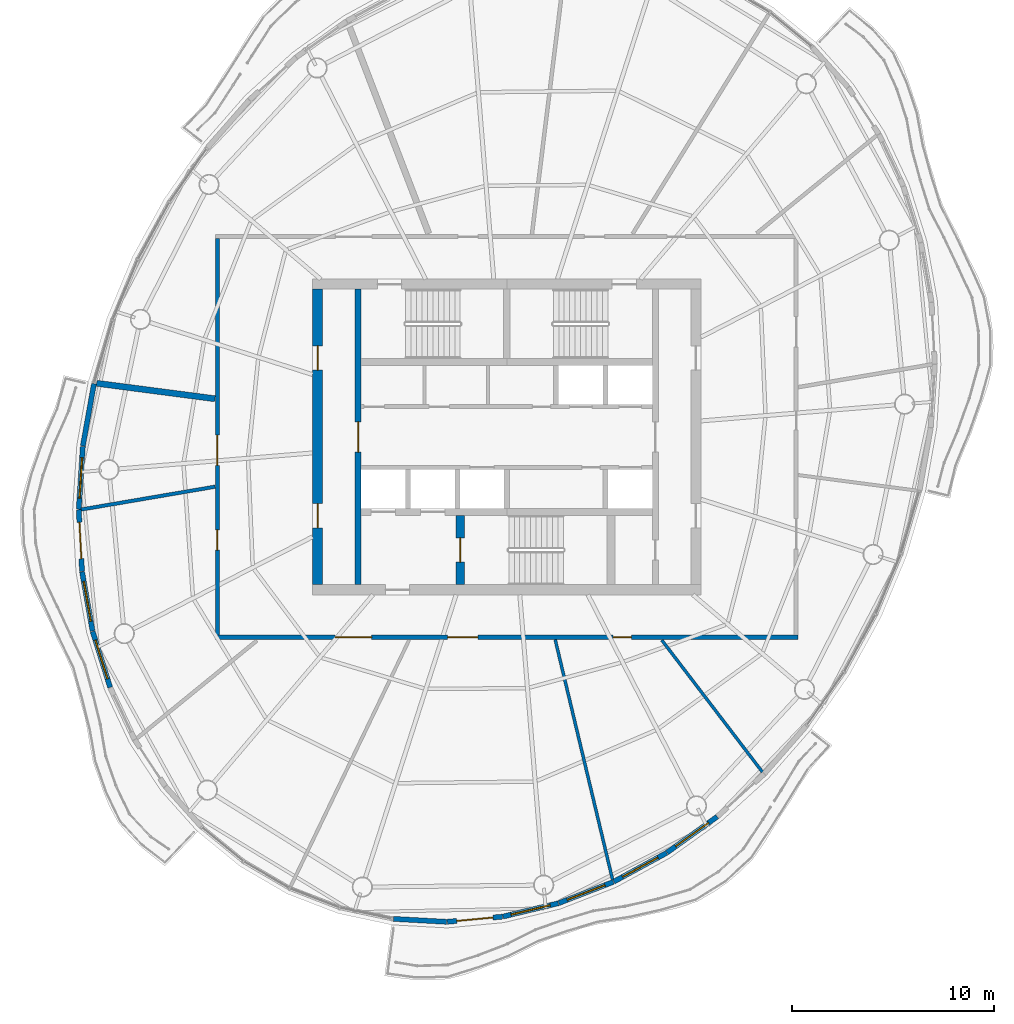
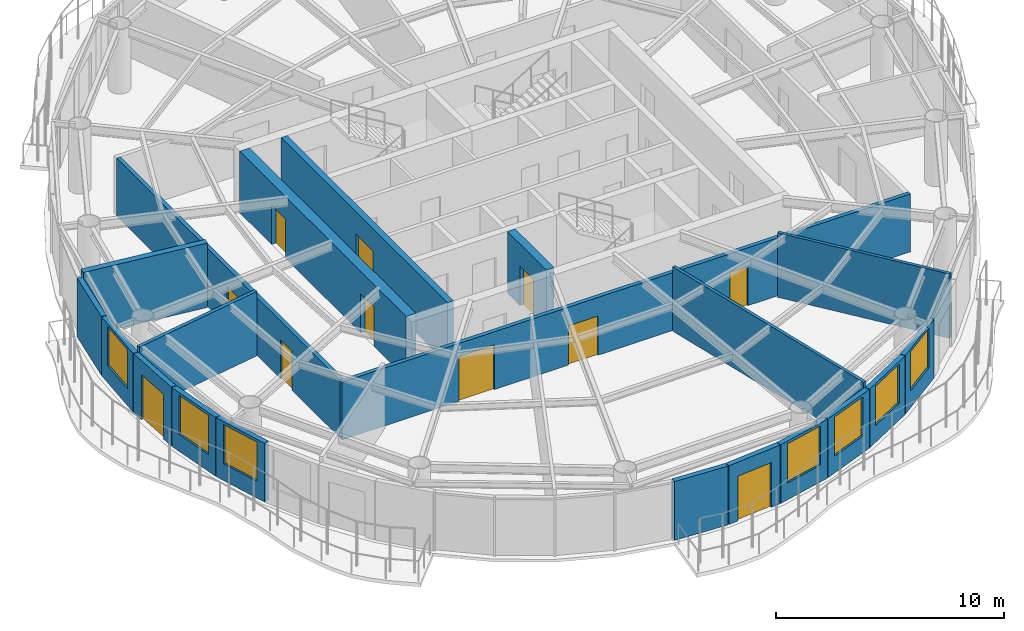
# One storey, part 7 of 13: 20 walls, 11 doors, 7 windows, 18 openings.
"""IFC4 building model written with IfcOpenShell, lengths in metres."""

from ifc_helpers import new_model, si_unit, direction, frame, frame_2d, origin, place, context, subcontext, project, spatial, rectangle, extrude, material, layer, layer_set, type_object, element, fill, save


model = new_model("IFC4")

# Units and contexts
model_context = context("Model", 3, precision=1e-05, world=origin(), true_north=direction((0.0, 1.0)))
body_context = subcontext(model_context, "Body", "Model", "MODEL_VIEW")
ifc_project = project(units=[si_unit("LENGTHUNIT", "METRE"), si_unit("AREAUNIT", "SQUARE_METRE"), si_unit("VOLUMEUNIT", "CUBIC_METRE"), si_unit("PLANEANGLEUNIT", "RADIAN"), si_unit("MASSUNIT", "GRAM", prefix="KILO")], contexts=[model_context])

# Site, building, storey
site_placement = place(None, origin())
site = spatial("IfcSite", under=ifc_project, at=site_placement, CompositionType="ELEMENT")
building_placement = place(site_placement, origin())
building = spatial("IfcBuilding", under=site, at=building_placement, Name="Vermilion Reach Broadcast Tower", CompositionType="ELEMENT")
storey_placement = place(building_placement, frame((0.0, 0.0, 290.10009765625)))
storey = spatial("IfcBuildingStorey", under=building, at=storey_placement, Name="L72", CompositionType="ELEMENT", Elevation=290.10009765625)

# Wall, opening, door
ifc_material_1 = material(Name="Concrete C50", Category="concrete")
ifc_layer_1 = layer(ifc_material_1, 0.300048828125)
ifc_layer_set_1 = layer_set([ifc_layer_1], Name="Core inner wall 300 mm Concrete C50")
wall_type_1 = type_object("IfcWallType", Name="Core inner wall 300 mm Concrete C50", PredefinedType="SHEAR", material=ifc_layer_set_1)
wall_1_placement = place(storey_placement, frame((-13.35009765625, 7.300048828125, 0.0), z_axis=(0.0, 0.0, 1.0), x_axis=(0.0, -1.0, 0.0)))
wall_1 = element("IfcWall", 1, at=wall_1_placement, inside=storey, type_object=wall_type_1, Name="L72 core wall ewW", PredefinedType="SHEAR", context=body_context, shape_type="SweptSolid", body=[
    extrude(rectangle(XDim=14.60009765625, YDim=0.300048828125, at=frame_2d((7.300048828125, 0.0))), origin(), (0.0, 0.0, 1.0), 3.2998046875),
])
opening_1_placement = place(wall_1_placement, frame((6.550048828125, 0.0, 0.0)))
opening_1 = element("IfcOpeningElement", 2, at=opening_1_placement, cuts=wall_1, Name="Opening D04", PredefinedType="OPENING", context=body_context, shape_type="SweptSolid", body=[
    extrude(rectangle(XDim=1.5, YDim=2.10009765625, at=frame_2d((0.75, 1.050048828125))), frame((0.0, 0.159912109375, 0.0), z_axis=(0.0, -1.0, 0.0), x_axis=(1.0, 0.0, 0.0)), (0.0, 0.0, 1.0), 0.320068359375),
])
ifc_material_2 = material(Name="Painted steel fire door", Category="steel")
door_type_1 = type_object("IfcDoorType", Name="Lift lobby door 1500 x 2100", OperationType="DOUBLE_DOOR_SINGLE_SWING", PredefinedType="NOTDEFINED", material=ifc_material_2)
door_1_placement = place(opening_1_placement, origin())
door_1 = element("IfcDoor", 3, at=door_1_placement, inside=storey, type_object=door_type_1, Name="L72 band door BW", OperationType="DOUBLE_DOOR_SINGLE_SWING", OverallHeight=2.10009765625, OverallWidth=1.5, PredefinedType="NOTDEFINED", context=body_context, shape_type="SweptSolid", body=[
    extrude(rectangle(XDim=1.5, YDim=2.10009765625, at=frame_2d((0.75, 1.050048828125))), frame((0.0, 0.02490234375, 0.0), z_axis=(0.0, -1.0, 0.0), x_axis=(1.0, 0.0, 0.0)), (0.0, 0.0, 1.0), 0.050048828125),
])
fill(opening_1, door_1)

ifc_material_3 = material(Name="Concrete C50", Category="concrete")
ifc_layer_2 = layer(ifc_material_3, 0.39990234375)
ifc_layer_set_2 = layer_set([ifc_layer_2], Name="Core inner wall 400 mm Concrete C50")
wall_type_2 = type_object("IfcWallType", Name="Core inner wall 400 mm Concrete C50", PredefinedType="SHEAR", material=ifc_layer_set_2)
wall_2_placement = place(storey_placement, frame((-8.300048828125, -3.8798828125, 0.0), z_axis=(0.0, 0.0, 1.0), x_axis=(0.0, -1.0, 0.0)))
wall_2 = element("IfcWall", 4, at=wall_2_placement, inside=storey, type_object=wall_type_2, Name="L72 core wall wa", PredefinedType="SHEAR", context=body_context, shape_type="SweptSolid", body=[
    extrude(rectangle(XDim=3.420166015625, YDim=0.39990234375, at=frame_2d((1.7099609375, 0.0))), origin(), (0.0, 0.0, 1.0), 3.2998046875),
])
opening_2_placement = place(wall_2_placement, frame((1.110107421875, 0.0, 0.0)))
opening_2 = element("IfcOpeningElement", 5, at=opening_2_placement, cuts=wall_2, Name="Opening D01", PredefinedType="OPENING", context=body_context, shape_type="SweptSolid", body=[
    extrude(rectangle(XDim=1.199951171875, YDim=2.10009765625, at=frame_2d((0.60009765625, 1.050048828125))), frame((0.0, 0.2099609375, 0.0), z_axis=(0.0, -1.0, 0.0), x_axis=(1.0, 0.0, 0.0)), (0.0, 0.0, 1.0), 0.419921875),
])
ifc_material_4 = material(Name="Painted steel fire door", Category="steel")
door_type_2 = type_object("IfcDoorType", Name="Stair door 1200 x 2100", OperationType="DOUBLE_DOOR_SINGLE_SWING", PredefinedType="NOTDEFINED", material=ifc_material_4)
door_2_placement = place(opening_2_placement, origin())
door_2 = element("IfcDoor", 6, at=door_2_placement, inside=storey, type_object=door_type_2, Name="L72 stair door ST3", OperationType="DOUBLE_DOOR_SINGLE_SWING", OverallHeight=2.10009765625, OverallWidth=1.199951171875, PredefinedType="NOTDEFINED", context=body_context, shape_type="SweptSolid", body=[
    extrude(rectangle(XDim=1.199951171875, YDim=2.10009765625, at=frame_2d((0.60009765625, 1.050048828125))), frame((0.0, 0.02490234375, 0.0), z_axis=(0.0, -1.0, 0.0), x_axis=(1.0, 0.0, 0.0)), (0.0, 0.0, 1.0), 0.050048828125),
])
fill(opening_2, door_2)

# Wall, openings, doors
ifc_material_5 = material(Name="Concrete C50", Category="concrete")
ifc_layer_3 = layer(ifc_material_5, 0.5)
ifc_layer_set_3 = layer_set([ifc_layer_3], Name="Core outer wall 500 mm Concrete C50")
wall_type_3 = type_object("IfcWallType", Name="Core outer wall 500 mm Concrete C50", PredefinedType="SHEAR", material=ifc_layer_set_3)
wall_3_placement = place(storey_placement, frame((-15.35009765625, 7.300048828125, 0.0), z_axis=(0.0, 0.0, 1.0), x_axis=(0.0, -1.0, 0.0)))
wall_3 = element("IfcWall", 7, at=wall_3_placement, inside=storey, type_object=wall_type_3, Name="L72 core wall ow", PredefinedType="SHEAR", context=body_context, shape_type="SweptSolid", body=[
    extrude(rectangle(XDim=14.60009765625, YDim=0.5, at=frame_2d((7.300048828125, 0.0))), origin(), (0.0, 0.0, 1.0), 3.2998046875),
])
opening_3_placement = place(wall_3_placement, frame((10.60009765625, 0.0, 0.0)))
opening_3 = element("IfcOpeningElement", 8, at=opening_3_placement, cuts=wall_3, Name="Opening D03", PredefinedType="OPENING", context=body_context, shape_type="SweptSolid", body=[
    extrude(rectangle(XDim=1.199951171875, YDim=2.10009765625, at=frame_2d((0.60009765625, 1.050048828125))), frame((0.0, 0.260009765625, 0.0), z_axis=(0.0, -1.0, 0.0), x_axis=(1.0, 0.0, 0.0)), (0.0, 0.0, 1.0), 0.52001953125),
])
opening_4_placement = place(wall_3_placement, frame((2.800048828125, 0.0, 0.0)))
opening_4 = element("IfcOpeningElement", 9, at=opening_4_placement, cuts=wall_3, Name="Opening D03", PredefinedType="OPENING", context=body_context, shape_type="SweptSolid", body=[
    extrude(rectangle(XDim=1.199951171875, YDim=2.10009765625, at=frame_2d((0.60009765625, 1.050048828125))), frame((0.0, 0.260009765625, 0.0), z_axis=(0.0, -1.0, 0.0), x_axis=(1.0, 0.0, 0.0)), (0.0, 0.0, 1.0), 0.52001953125),
])
ifc_material_6 = material(Name="Painted steel fire door", Category="steel")
door_type_3 = type_object("IfcDoorType", Name="Core lobby door 1200 x 2100", OperationType="DOUBLE_DOOR_SINGLE_SWING", PredefinedType="NOTDEFINED", material=ifc_material_6)
door_3_placement = place(opening_3_placement, origin())
door_3 = element("IfcDoor", 10, at=door_3_placement, inside=storey, type_object=door_type_3, Name="L72 slot door W0", OperationType="DOUBLE_DOOR_SINGLE_SWING", OverallHeight=2.10009765625, OverallWidth=1.199951171875, PredefinedType="NOTDEFINED", context=body_context, shape_type="SweptSolid", body=[
    extrude(rectangle(XDim=1.199951171875, YDim=2.10009765625, at=frame_2d((0.60009765625, 1.050048828125))), frame((0.0, 0.02490234375, 0.0), z_axis=(0.0, -1.0, 0.0), x_axis=(1.0, 0.0, 0.0)), (0.0, 0.0, 1.0), 0.050048828125),
])
fill(opening_3, door_3)
door_4_placement = place(opening_4_placement, origin())
door_4 = element("IfcDoor", 11, at=door_4_placement, inside=storey, type_object=door_type_3, Name="L72 slot door W1", OperationType="DOUBLE_DOOR_SINGLE_SWING", OverallHeight=2.10009765625, OverallWidth=1.199951171875, PredefinedType="NOTDEFINED", context=body_context, shape_type="SweptSolid", body=[
    extrude(rectangle(XDim=1.199951171875, YDim=2.10009765625, at=frame_2d((0.60009765625, 1.050048828125))), frame((0.0, 0.02490234375, 0.0), z_axis=(0.0, -1.0, 0.0), x_axis=(1.0, 0.0, 0.0)), (0.0, 0.0, 1.0), 0.050048828125),
])
fill(opening_4, door_4)

# Walls
ifc_material_7 = material(Name="Lightweight concrete block, plastered", Category="concrete")
ifc_layer_4 = layer(ifc_material_7, 0.14990234375)
ifc_layer_set_4 = layer_set([ifc_layer_4], Name="Partition 150 lightweight block")
wall_type_4 = type_object("IfcWallType", Name="Partition 150 lightweight block", PredefinedType="PARTITIONING", material=ifc_layer_set_4)
wall_4_placement = place(storey_placement, frame((-0.77294921875, -21.87353515625, 0.0), z_axis=(0.0, 0.0, 1.0), x_axis=(-0.232423713032, 0.972614629553, 0.0)))
element("IfcWall", 12, at=wall_4_placement, inside=storey, type_object=wall_type_4, Name="Partition 72.07", PredefinedType="PARTITIONING", context=body_context, shape_type="SweptSolid", body=[
    extrude(rectangle(XDim=12.18994140625, YDim=0.14990234375, at=frame_2d((6.094970703125, 0.0))), origin(), (0.0, 0.0, 1.0), 3.449951171875),
])
wall_5_placement = place(storey_placement, frame((6.63671875, -16.56396484375, 0.0), z_axis=(0.0, 0.0, 1.0), x_axis=(-0.606535643583, 0.795056295531, 0.0)))
element("IfcWall", 13, at=wall_5_placement, inside=storey, type_object=wall_type_4, Name="Partition 72.08", PredefinedType="PARTITIONING", context=body_context, shape_type="SweptSolid", body=[
    extrude(rectangle(XDim=8.198974609375, YDim=0.14990234375, at=frame_2d((4.099609375, 0.0))), origin(), (0.0, 0.0, 1.0), 3.449951171875),
])
ifc_material_8 = material(Name="Fire-rated block, plastered")
ifc_layer_5 = layer(ifc_material_8, 0.175048828125)
ifc_layer_set_5 = layer_set([ifc_layer_5], Name="Partition 175 fire-rated block")
wall_type_5 = type_object("IfcWallType", Name="Partition 175 fire-rated block", PredefinedType="PARTITIONING", material=ifc_layer_set_5)
wall_6_placement = place(storey_placement, frame((-27.02880859375, -3.587890625, 0.0), z_axis=(0.0, 0.0, 1.0), x_axis=(0.985756294693, 0.168180044814, 0.0)))
element("IfcWall", 14, at=wall_6_placement, inside=storey, type_object=wall_type_5, Name="Partition 72.04", PredefinedType="PARTITIONING", context=body_context, shape_type="SweptSolid", body=[
    extrude(rectangle(XDim=6.70947265625, YDim=0.175048828125, at=frame_2d((3.354736328125, 0.0))), origin(), (0.0, 0.0, 1.0), 3.449951171875),
])
ifc_material_9 = material(Name="Double-leaf plasterboard on isolated steel stud", Category="steel")
ifc_layer_6 = layer(ifc_material_9, 0.300048828125)
ifc_layer_set_6 = layer_set([ifc_layer_6], Name="Partition 300 acoustic double leaf")
wall_type_6 = type_object("IfcWallType", Name="Partition 300 acoustic double leaf", PredefinedType="PARTITIONING", material=ifc_layer_set_6)
wall_7_placement = place(storey_placement, frame((-26.27001953125, 2.652099609375, 0.0), z_axis=(0.0, 0.0, 1.0), x_axis=(0.991545872486, -0.129756628948, 0.0)))
element("IfcWall", 15, at=wall_7_placement, inside=storey, type_object=wall_type_6, Name="Partition 72.03", PredefinedType="PARTITIONING", context=body_context, shape_type="SweptSolid", body=[
    extrude(rectangle(XDim=5.900390625, YDim=0.300048828125, at=frame_2d((2.9501953125, 0.0))), origin(), (0.0, 0.0, 1.0), 3.449951171875),
])
ifc_material_10 = material(Name="Terracotta rainscreen cladding", Category="masonry")
ifc_layer_7 = layer(ifc_material_10, 0.25)
ifc_layer_set_7 = layer_set([ifc_layer_7], Name="Terracotta rainscreen wall 250")
wall_type_7 = type_object("IfcWallType", Name="Terracotta rainscreen wall 250", PredefinedType="SOLIDWALL", material=ifc_layer_set_7)
wall_8_placement = place(storey_placement, frame((-26.4013671875, 2.626708984375, 0.0), z_axis=(0.0, 0.0, 1.0), x_axis=(-0.175953031968, -0.98439856285, 0.0)))
element("IfcWall", 16, at=wall_8_placement, inside=storey, type_object=wall_type_7, Name="External wall L72 14", PredefinedType="SOLIDWALL", context=body_context, shape_type="SweptSolid", body=[
    extrude(rectangle(XDim=3.1220703125, YDim=0.25, at=frame_2d((1.56103515625, 0.0))), origin(), (0.0, 0.0, 1.0), 3.14990234375),
])

# Wall, opening, window
wall_9_placement = place(storey_placement, frame((-26.953369140625, -0.468505859375, 0.0), z_axis=(0.0, 0.0, 1.0), x_axis=(-0.06414046047, -0.997940880679, 0.0)))
wall_9 = element("IfcWall", 17, at=wall_9_placement, inside=storey, type_object=wall_type_7, Name="External wall L72 15", PredefinedType="SOLIDWALL", context=body_context, shape_type="SweptSolid", body=[
    extrude(rectangle(XDim=3.113525390625, YDim=0.25, at=frame_2d((1.556640625, 0.0))), origin(), (0.0, 0.0, 1.0), 3.14990234375),
])
opening_5_placement = place(wall_9_placement, frame((0.556884765625, 0.0, 0.89990234375)))
opening_5 = element("IfcOpeningElement", 18, at=opening_5_placement, cuts=wall_9, Name="Opening W03", PredefinedType="OPENING", context=body_context, shape_type="SweptSolid", body=[
    extrude(rectangle(XDim=2.0, YDim=2.10009765625, at=frame_2d((1.0, 1.050048828125))), frame((0.0, 0.135009765625, 0.0), z_axis=(0.0, -1.0, 0.0), x_axis=(1.0, 0.0, 0.0)), (0.0, 0.0, 1.0), 0.27001953125),
])
ifc_material_11 = material(Name="Low-e laminated clear glass in aluminium frame", Category="aluminium")
window_type = type_object("IfcWindowType", Name="Punched window 2000 x 2100 sill 900", PartitioningType="SINGLE_PANEL", PredefinedType="WINDOW", material=ifc_material_11)
window_1_placement = place(opening_5_placement, origin())
window_1 = element("IfcWindow", 19, at=window_1_placement, inside=storey, type_object=window_type, Name="Window L72 15", OverallHeight=2.10009765625, OverallWidth=2.0, PartitioningType="SINGLE_PANEL", PredefinedType="WINDOW", context=body_context, shape_type="SweptSolid", body=[
    extrude(rectangle(XDim=2.0, YDim=2.10009765625, at=frame_2d((1.0, 1.050048828125))), frame((0.0, 0.030029296875, 0.0), z_axis=(0.0, -1.0, 0.0), x_axis=(1.0, 0.0, 0.0)), (0.0, 0.0, 1.0), 0.06005859375),
])
fill(opening_5, window_1)

# Wall, opening, door
wall_10_placement = place(storey_placement, frame((-27.1533203125, -3.598388671875, 0.0), z_axis=(0.0, 0.0, 1.0), x_axis=(0.052781633418, -0.998606078078, 0.0)))
wall_10 = element("IfcWall", 20, at=wall_10_placement, inside=storey, type_object=wall_type_7, Name="External wall L72 16", PredefinedType="SOLIDWALL", context=body_context, shape_type="SweptSolid", body=[
    extrude(rectangle(XDim=3.048095703125, YDim=0.25, at=frame_2d((1.52392578125, 0.0))), origin(), (0.0, 0.0, 1.0), 3.14990234375),
])
opening_6_placement = place(wall_10_placement, frame((0.6240234375, 0.0, 0.0)))
opening_6 = element("IfcOpeningElement", 21, at=opening_6_placement, cuts=wall_10, Name="Opening D70", PredefinedType="OPENING", context=body_context, shape_type="SweptSolid", body=[
    extrude(rectangle(XDim=1.800048828125, YDim=2.39990234375, at=frame_2d((0.89990234375, 1.199951171875))), frame((0.0, 0.135009765625, 0.0), z_axis=(0.0, -1.0, 0.0), x_axis=(1.0, 0.0, 0.0)), (0.0, 0.0, 1.0), 0.27001953125),
])
ifc_material_12 = material(Name="Low-e laminated clear glass in aluminium frame", Category="aluminium")
door_type_4 = type_object("IfcDoorType", Name="Balcony sliding door 1800 x 2400", OperationType="DOUBLE_DOOR_SLIDING", PredefinedType="DOOR", material=ifc_material_12)
door_5_placement = place(opening_6_placement, origin())
door_5 = element("IfcDoor", 22, at=door_5_placement, inside=storey, type_object=door_type_4, Name="Balcony door L72 run 04", OperationType="DOUBLE_DOOR_SLIDING", OverallHeight=2.39990234375, OverallWidth=1.800048828125, PredefinedType="DOOR", context=body_context, shape_type="SweptSolid", body=[
    extrude(rectangle(XDim=1.800048828125, YDim=2.39990234375, at=frame_2d((0.89990234375, 1.199951171875))), frame((0.0, 0.02490234375, 0.0), z_axis=(0.0, -1.0, 0.0), x_axis=(1.0, 0.0, 0.0)), (0.0, 0.0, 1.0), 0.050048828125),
])
fill(opening_6, door_5)

# Wall, opening, window
wall_11_placement = place(storey_placement, frame((-26.989990234375, -6.665283203125, 0.0), z_axis=(0.0, 0.0, 1.0), x_axis=(0.174071054852, -0.984733094733, 0.0)))
wall_11 = element("IfcWall", 23, at=wall_11_placement, inside=storey, type_object=wall_type_7, Name="External wall L72 17", PredefinedType="SOLIDWALL", context=body_context, shape_type="SweptSolid", body=[
    extrude(rectangle(XDim=2.973388671875, YDim=0.25, at=frame_2d((1.48681640625, 0.0))), origin(), (0.0, 0.0, 1.0), 3.14990234375),
])
opening_7_placement = place(wall_11_placement, frame((0.486572265625, 0.0, 0.89990234375)))
opening_7 = element("IfcOpeningElement", 24, at=opening_7_placement, cuts=wall_11, Name="Opening W03", PredefinedType="OPENING", context=body_context, shape_type="SweptSolid", body=[
    extrude(rectangle(XDim=2.0, YDim=2.10009765625, at=frame_2d((1.0, 1.050048828125))), frame((0.0, 0.135009765625, 0.0), z_axis=(0.0, -1.0, 0.0), x_axis=(1.0, 0.0, 0.0)), (0.0, 0.0, 1.0), 0.27001953125),
])
window_2_placement = place(opening_7_placement, origin())
window_2 = element("IfcWindow", 25, at=window_2_placement, inside=storey, type_object=window_type, Name="Window L72 17", OverallHeight=2.10009765625, OverallWidth=2.0, PartitioningType="SINGLE_PANEL", PredefinedType="WINDOW", context=body_context, shape_type="SweptSolid", body=[
    extrude(rectangle(XDim=2.0, YDim=2.10009765625, at=frame_2d((1.0, 1.050048828125))), frame((0.0, 0.030029296875, 0.0), z_axis=(0.0, -1.0, 0.0), x_axis=(1.0, 0.0, 0.0)), (0.0, 0.0, 1.0), 0.06005859375),
])
fill(opening_7, window_2)

wall_12_placement = place(storey_placement, frame((-26.466796875, -9.616455078125, 0.0), z_axis=(0.0, 0.0, 1.0), x_axis=(0.298683323116, -0.954352279031, 0.0)))
wall_12 = element("IfcWall", 26, at=wall_12_placement, inside=storey, type_object=wall_type_7, Name="External wall L72 18", PredefinedType="SOLIDWALL", context=body_context, shape_type="SweptSolid", body=[
    extrude(rectangle(XDim=2.8935546875, YDim=0.25, at=frame_2d((1.44677734375, 0.0))), origin(), (0.0, 0.0, 1.0), 3.14990234375),
])
opening_8_placement = place(wall_12_placement, frame((0.44677734375, 0.0, 0.89990234375)))
opening_8 = element("IfcOpeningElement", 27, at=opening_8_placement, cuts=wall_12, Name="Opening W03", PredefinedType="OPENING", context=body_context, shape_type="SweptSolid", body=[
    extrude(rectangle(XDim=2.0, YDim=2.10009765625, at=frame_2d((1.0, 1.050048828125))), frame((0.0, 0.135009765625, 0.0), z_axis=(0.0, -1.0, 0.0), x_axis=(1.0, 0.0, 0.0)), (0.0, 0.0, 1.0), 0.27001953125),
])
window_3_placement = place(opening_8_placement, origin())
window_3 = element("IfcWindow", 28, at=window_3_placement, inside=storey, type_object=window_type, Name="Window L72 18", OverallHeight=2.10009765625, OverallWidth=2.0, PartitioningType="SINGLE_PANEL", PredefinedType="WINDOW", context=body_context, shape_type="SweptSolid", body=[
    extrude(rectangle(XDim=2.0, YDim=2.10009765625, at=frame_2d((1.0, 1.050048828125))), frame((0.0, 0.030029296875, 0.0), z_axis=(0.0, -1.0, 0.0), x_axis=(1.0, 0.0, 0.0)), (0.0, 0.0, 1.0), 0.06005859375),
])
fill(opening_8, window_3)

# Wall
wall_13_placement = place(storey_placement, frame((-11.604248046875, -23.820068359375, 0.0), z_axis=(0.0, 0.0, 1.0), x_axis=(0.998463198624, -0.055418778352, 0.0)))
element("IfcWall", 29, at=wall_13_placement, inside=storey, type_object=wall_type_7, Name="External wall L72 26", PredefinedType="SOLIDWALL", context=body_context, shape_type="SweptSolid", body=[
    extrude(rectangle(XDim=2.638916015625, YDim=0.25, at=frame_2d((1.3193359375, 0.0))), origin(), (0.0, 0.0, 1.0), 3.14990234375),
])

# Wall, opening, door
wall_14_placement = place(storey_placement, frame((-8.94287109375, -23.9658203125, 0.0), z_axis=(0.0, 0.0, 1.0), x_axis=(0.995626981475, 0.093417952019, 0.0)))
wall_14 = element("IfcWall", 30, at=wall_14_placement, inside=storey, type_object=wall_type_7, Name="External wall L72 27", PredefinedType="SOLIDWALL", context=body_context, shape_type="SweptSolid", body=[
    extrude(rectangle(XDim=2.741455078125, YDim=0.25, at=frame_2d((1.37060546875, 0.0))), origin(), (0.0, 0.0, 1.0), 3.14990234375),
])
opening_9_placement = place(wall_14_placement, frame((0.470947265625, 0.0, 0.0)))
opening_9 = element("IfcOpeningElement", 31, at=opening_9_placement, cuts=wall_14, Name="Opening D70", PredefinedType="OPENING", context=body_context, shape_type="SweptSolid", body=[
    extrude(rectangle(XDim=1.800048828125, YDim=2.39990234375, at=frame_2d((0.89990234375, 1.199951171875))), frame((0.0, 0.135009765625, 0.0), z_axis=(0.0, -1.0, 0.0), x_axis=(1.0, 0.0, 0.0)), (0.0, 0.0, 1.0), 0.27001953125),
])
door_6_placement = place(opening_9_placement, origin())
door_6 = element("IfcDoor", 32, at=door_6_placement, inside=storey, type_object=door_type_4, Name="Balcony door L72 run 07", OperationType="DOUBLE_DOOR_SLIDING", OverallHeight=2.39990234375, OverallWidth=1.800048828125, PredefinedType="DOOR", context=body_context, shape_type="SweptSolid", body=[
    extrude(rectangle(XDim=1.800048828125, YDim=2.39990234375, at=frame_2d((0.89990234375, 1.199951171875))), frame((0.0, 0.02490234375, 0.0), z_axis=(0.0, -1.0, 0.0), x_axis=(1.0, 0.0, 0.0)), (0.0, 0.0, 1.0), 0.050048828125),
])
fill(opening_9, door_6)

# Wall, opening, window
wall_15_placement = place(storey_placement, frame((-6.18798828125, -23.70556640625, 0.0), z_axis=(0.0, 0.0, 1.0), x_axis=(0.972306924108, 0.233707606491, 0.0)))
wall_15 = element("IfcWall", 33, at=wall_15_placement, inside=storey, type_object=wall_type_7, Name="External wall L72 28", PredefinedType="SOLIDWALL", context=body_context, shape_type="SweptSolid", body=[
    extrude(rectangle(XDim=2.814208984375, YDim=0.25, at=frame_2d((1.4072265625, 0.0))), origin(), (0.0, 0.0, 1.0), 3.14990234375),
])
opening_10_placement = place(wall_15_placement, frame((0.4072265625, 0.0, 0.89990234375)))
opening_10 = element("IfcOpeningElement", 34, at=opening_10_placement, cuts=wall_15, Name="Opening W03", PredefinedType="OPENING", context=body_context, shape_type="SweptSolid", body=[
    extrude(rectangle(XDim=2.0, YDim=2.10009765625, at=frame_2d((1.0, 1.050048828125))), frame((0.0, 0.135009765625, 0.0), z_axis=(0.0, -1.0, 0.0), x_axis=(1.0, 0.0, 0.0)), (0.0, 0.0, 1.0), 0.27001953125),
])
window_4_placement = place(opening_10_placement, origin())
window_4 = element("IfcWindow", 35, at=window_4_placement, inside=storey, type_object=window_type, Name="Window L72 28", OverallHeight=2.10009765625, OverallWidth=2.0, PartitioningType="SINGLE_PANEL", PredefinedType="WINDOW", context=body_context, shape_type="SweptSolid", body=[
    extrude(rectangle(XDim=2.0, YDim=2.10009765625, at=frame_2d((1.0, 1.050048828125))), frame((0.0, 0.030029296875, 0.0), z_axis=(0.0, -1.0, 0.0), x_axis=(1.0, 0.0, 0.0)), (0.0, 0.0, 1.0), 0.06005859375),
])
fill(opening_10, window_4)

wall_16_placement = place(storey_placement, frame((-3.427978515625, -23.04052734375, 0.0), z_axis=(0.0, 0.0, 1.0), x_axis=(0.931927060947, 0.362645768035, 0.0)))
wall_16 = element("IfcWall", 36, at=wall_16_placement, inside=storey, type_object=wall_type_7, Name="External wall L72 29", PredefinedType="SOLIDWALL", context=body_context, shape_type="SweptSolid", body=[
    extrude(rectangle(XDim=2.8935546875, YDim=0.25, at=frame_2d((1.44677734375, 0.0))), origin(), (0.0, 0.0, 1.0), 3.14990234375),
])
opening_11_placement = place(wall_16_placement, frame((0.44677734375, 0.0, 0.89990234375)))
opening_11 = element("IfcOpeningElement", 37, at=opening_11_placement, cuts=wall_16, Name="Opening W03", PredefinedType="OPENING", context=body_context, shape_type="SweptSolid", body=[
    extrude(rectangle(XDim=2.0, YDim=2.10009765625, at=frame_2d((1.0, 1.050048828125))), frame((0.0, 0.135009765625, 0.0), z_axis=(0.0, -1.0, 0.0), x_axis=(1.0, 0.0, 0.0)), (0.0, 0.0, 1.0), 0.27001953125),
])
window_5_placement = place(opening_11_placement, origin())
window_5 = element("IfcWindow", 38, at=window_5_placement, inside=storey, type_object=window_type, Name="Window L72 29", OverallHeight=2.10009765625, OverallWidth=2.0, PartitioningType="SINGLE_PANEL", PredefinedType="WINDOW", context=body_context, shape_type="SweptSolid", body=[
    extrude(rectangle(XDim=2.0, YDim=2.10009765625, at=frame_2d((1.0, 1.050048828125))), frame((0.0, 0.030029296875, 0.0), z_axis=(0.0, -1.0, 0.0), x_axis=(1.0, 0.0, 0.0)), (0.0, 0.0, 1.0), 0.06005859375),
])
fill(opening_11, window_5)

wall_17_placement = place(storey_placement, frame((-0.70947265625, -21.98095703125, 0.0), z_axis=(0.0, 0.0, 1.0), x_axis=(0.877823384271, 0.478984452802, 0.0)))
wall_17 = element("IfcWall", 39, at=wall_17_placement, inside=storey, type_object=wall_type_7, Name="External wall L72 30", PredefinedType="SOLIDWALL", context=body_context, shape_type="SweptSolid", body=[
    extrude(rectangle(XDim=2.97314453125, YDim=0.25, at=frame_2d((1.486572265625, 0.0))), origin(), (0.0, 0.0, 1.0), 3.14990234375),
])
opening_12_placement = place(wall_17_placement, frame((0.486572265625, 0.0, 0.89990234375)))
opening_12 = element("IfcOpeningElement", 40, at=opening_12_placement, cuts=wall_17, Name="Opening W03", PredefinedType="OPENING", context=body_context, shape_type="SweptSolid", body=[
    extrude(rectangle(XDim=2.0, YDim=2.10009765625, at=frame_2d((1.0, 1.050048828125))), frame((0.0, 0.135009765625, 0.0), z_axis=(0.0, -1.0, 0.0), x_axis=(1.0, 0.0, 0.0)), (0.0, 0.0, 1.0), 0.27001953125),
])
window_6_placement = place(opening_12_placement, origin())
window_6 = element("IfcWindow", 41, at=window_6_placement, inside=storey, type_object=window_type, Name="Window L72 30", OverallHeight=2.10009765625, OverallWidth=2.0, PartitioningType="SINGLE_PANEL", PredefinedType="WINDOW", context=body_context, shape_type="SweptSolid", body=[
    extrude(rectangle(XDim=2.0, YDim=2.10009765625, at=frame_2d((1.0, 1.050048828125))), frame((0.0, 0.030029296875, 0.0), z_axis=(0.0, -1.0, 0.0), x_axis=(1.0, 0.0, 0.0)), (0.0, 0.0, 1.0), 0.06005859375),
])
fill(opening_12, window_6)

wall_18_placement = place(storey_placement, frame((1.920166015625, -20.54443359375, 0.0), z_axis=(0.0, 0.0, 1.0), x_axis=(0.812910032744, 0.582389284469, 0.0)))
wall_18 = element("IfcWall", 42, at=wall_18_placement, inside=storey, type_object=wall_type_7, Name="External wall L72 31", PredefinedType="SOLIDWALL", context=body_context, shape_type="SweptSolid", body=[
    extrude(rectangle(XDim=3.048095703125, YDim=0.25, at=frame_2d((1.52392578125, 0.0))), origin(), (0.0, 0.0, 1.0), 3.14990234375),
])
opening_13_placement = place(wall_18_placement, frame((0.524169921875, 0.0, 0.89990234375)))
opening_13 = element("IfcOpeningElement", 43, at=opening_13_placement, cuts=wall_18, Name="Opening W03", PredefinedType="OPENING", context=body_context, shape_type="SweptSolid", body=[
    extrude(rectangle(XDim=2.0, YDim=2.10009765625, at=frame_2d((1.0, 1.050048828125))), frame((0.0, 0.135009765625, 0.0), z_axis=(0.0, -1.0, 0.0), x_axis=(1.0, 0.0, 0.0)), (0.0, 0.0, 1.0), 0.27001953125),
])
window_7_placement = place(opening_13_placement, origin())
window_7 = element("IfcWindow", 44, at=window_7_placement, inside=storey, type_object=window_type, Name="Window L72 31", OverallHeight=2.10009765625, OverallWidth=2.0, PartitioningType="SINGLE_PANEL", PredefinedType="WINDOW", context=body_context, shape_type="SweptSolid", body=[
    extrude(rectangle(XDim=2.0, YDim=2.10009765625, at=frame_2d((1.0, 1.050048828125))), frame((0.0, 0.030029296875, 0.0), z_axis=(0.0, -1.0, 0.0), x_axis=(1.0, 0.0, 0.0)), (0.0, 0.0, 1.0), 0.06005859375),
])
fill(opening_13, window_7)

# Wall, openings, doors
ifc_material_13 = material(Name="Fire-rated gypsum board partition")
ifc_layer_8 = layer(ifc_material_13, 0.199951171875)
ifc_layer_set_8 = layer_set([ifc_layer_8], Name="Under girder: Corridor wall 200 fire-rated")
wall_type_8 = type_object("IfcWallType", Name="Under girder: Corridor wall 200 fire-rated", PredefinedType="PARTITIONING", material=ifc_layer_set_8)
wall_19_placement = place(storey_placement, frame((8.39990234375, -9.89990234375, 0.0), z_axis=(0.0, 0.0, 1.0), x_axis=(-1.0, 0.0, 0.0)))
wall_19 = element("IfcWall", 45, at=wall_19_placement, inside=storey, type_object=wall_type_8, Name="Corridor wall 72.S", PredefinedType="PARTITIONING", context=body_context, shape_type="SweptSolid", body=[
    extrude(rectangle(XDim=28.7998046875, YDim=0.199951171875, at=frame_2d((14.39990234375, 0.0))), origin(), (0.0, 0.0, 1.0), 3.099853515625),
])
opening_14_placement = place(wall_19_placement, frame((21.082275390625, 0.0, 0.0)))
opening_14 = element("IfcOpeningElement", 46, at=opening_14_placement, cuts=wall_19, Name="Opening D27", PredefinedType="OPENING", context=body_context, shape_type="SweptSolid", body=[
    extrude(rectangle(XDim=1.800048828125, YDim=2.39990234375, at=frame_2d((0.89990234375, 1.199951171875))), frame((0.0, 0.10986328125, 0.0), z_axis=(0.0, -1.0, 0.0), x_axis=(1.0, 0.0, 0.0)), (0.0, 0.0, 1.0), 0.219970703125),
])
opening_15_placement = place(wall_19_placement, frame((15.828857421875, 0.0, 0.0)))
opening_15 = element("IfcOpeningElement", 47, at=opening_15_placement, cuts=wall_19, Name="Opening D24", PredefinedType="OPENING", context=body_context, shape_type="SweptSolid", body=[
    extrude(rectangle(XDim=1.5, YDim=2.10009765625, at=frame_2d((0.75, 1.050048828125))), frame((0.0, 0.10986328125, 0.0), z_axis=(0.0, -1.0, 0.0), x_axis=(1.0, 0.0, 0.0)), (0.0, 0.0, 1.0), 0.219970703125),
])
opening_16_placement = place(wall_19_placement, frame((8.24267578125, 0.0, 0.0)))
opening_16 = element("IfcOpeningElement", 48, at=opening_16_placement, cuts=wall_19, Name="Opening D22", PredefinedType="OPENING", context=body_context, shape_type="SweptSolid", body=[
    extrude(rectangle(XDim=0.89990234375, YDim=2.10009765625, at=frame_2d((0.449951171875, 1.050048828125))), frame((0.0, 0.10986328125, 0.0), z_axis=(0.0, -1.0, 0.0), x_axis=(1.0, 0.0, 0.0)), (0.0, 0.0, 1.0), 0.219970703125),
])
ifc_material_14 = material(Name="Timber door leaf", Category="wood")
door_type_5 = type_object("IfcDoorType", Name="Door pair 1500x2100", OperationType="NOTDEFINED", PredefinedType="DOOR", material=ifc_material_14)
door_7_placement = place(opening_15_placement, origin())
door_7 = element("IfcDoor", 49, at=door_7_placement, inside=storey, type_object=door_type_5, Name="Door 72.06", OperationType="DOUBLE_DOOR_SINGLE_SWING", OverallHeight=2.10009765625, OverallWidth=1.5, PredefinedType="DOOR", context=body_context, shape_type="SweptSolid", body=[
    extrude(rectangle(XDim=1.5, YDim=2.10009765625, at=frame_2d((0.75, 1.050048828125))), frame((0.0, 0.02490234375, 0.0), z_axis=(0.0, -1.0, 0.0), x_axis=(1.0, 0.0, 0.0)), (0.0, 0.0, 1.0), 0.050048828125),
])
fill(opening_15, door_7)
ifc_material_15 = material(Name="Acoustic timber door leaf", Category="wood")
door_type_6 = type_object("IfcDoorType", Name="Door pair 1800x2400", OperationType="NOTDEFINED", PredefinedType="DOOR", material=ifc_material_15)
door_8_placement = place(opening_14_placement, origin())
door_8 = element("IfcDoor", 50, at=door_8_placement, inside=storey, type_object=door_type_6, Name="Door 72.05", OperationType="DOUBLE_DOOR_SINGLE_SWING", OverallHeight=2.39990234375, OverallWidth=1.800048828125, PredefinedType="DOOR", context=body_context, shape_type="SweptSolid", body=[
    extrude(rectangle(XDim=1.800048828125, YDim=2.39990234375, at=frame_2d((0.89990234375, 1.199951171875))), frame((0.0, 0.02490234375, 0.0), z_axis=(0.0, -1.0, 0.0), x_axis=(1.0, 0.0, 0.0)), (0.0, 0.0, 1.0), 0.050048828125),
])
fill(opening_14, door_8)
ifc_material_16 = material(Name="Timber door leaf", Category="wood")
door_type_7 = type_object("IfcDoorType", Name="Door single 900x2100", OperationType="NOTDEFINED", PredefinedType="DOOR", material=ifc_material_16)
door_9_placement = place(opening_16_placement, origin())
door_9 = element("IfcDoor", 51, at=door_9_placement, inside=storey, type_object=door_type_7, Name="Door 72.07", OperationType="SINGLE_SWING_LEFT", OverallHeight=2.10009765625, OverallWidth=0.89990234375, PredefinedType="DOOR", context=body_context, shape_type="SweptSolid", body=[
    extrude(rectangle(XDim=0.89990234375, YDim=2.10009765625, at=frame_2d((0.449951171875, 1.050048828125))), frame((0.0, 0.02490234375, 0.0), z_axis=(0.0, -1.0, 0.0), x_axis=(1.0, 0.0, 0.0)), (0.0, 0.0, 1.0), 0.050048828125),
])
fill(opening_16, door_9)

wall_20_placement = place(storey_placement, frame((-20.300048828125, -9.800048828125, 0.0), z_axis=(0.0, 0.0, 1.0), x_axis=(0.0, 1.0, 0.0)))
wall_20 = element("IfcWall", 52, at=wall_20_placement, inside=storey, type_object=wall_type_8, Name="Corridor wall 72.W", PredefinedType="PARTITIONING", context=body_context, shape_type="SweptSolid", body=[
    extrude(rectangle(XDim=19.60009765625, YDim=0.199951171875, at=frame_2d((9.800048828125, 0.0))), origin(), (0.0, 0.0, 1.0), 3.099853515625),
])
opening_17_placement = place(wall_20_placement, frame((8.3955078125, 0.0, 0.0)))
opening_17 = element("IfcOpeningElement", 53, at=opening_17_placement, cuts=wall_20, Name="Opening D24", PredefinedType="OPENING", context=body_context, shape_type="SweptSolid", body=[
    extrude(rectangle(XDim=1.5, YDim=2.10009765625, at=frame_2d((0.75, 1.050048828125))), frame((0.0, 0.10986328125, 0.0), z_axis=(0.0, -1.0, 0.0), x_axis=(1.0, 0.0, 0.0)), (0.0, 0.0, 1.0), 0.219970703125),
])
opening_18_placement = place(wall_20_placement, frame((4.205078125, 0.0, 0.0)))
opening_18 = element("IfcOpeningElement", 54, at=opening_18_placement, cuts=wall_20, Name="Opening D20", PredefinedType="OPENING", context=body_context, shape_type="SweptSolid", body=[
    extrude(rectangle(XDim=1.0, YDim=2.10009765625, at=frame_2d((0.5, 1.050048828125))), frame((0.0, 0.10986328125, 0.0), z_axis=(0.0, -1.0, 0.0), x_axis=(1.0, 0.0, 0.0)), (0.0, 0.0, 1.0), 0.219970703125),
])
door_10_placement = place(opening_17_placement, origin())
door_10 = element("IfcDoor", 55, at=door_10_placement, inside=storey, type_object=door_type_5, Name="Door 72.03", OperationType="DOUBLE_DOOR_SINGLE_SWING", OverallHeight=2.10009765625, OverallWidth=1.5, PredefinedType="DOOR", context=body_context, shape_type="SweptSolid", body=[
    extrude(rectangle(XDim=1.5, YDim=2.10009765625, at=frame_2d((0.75, 1.050048828125))), frame((0.0, 0.02490234375, 0.0), z_axis=(0.0, -1.0, 0.0), x_axis=(1.0, 0.0, 0.0)), (0.0, 0.0, 1.0), 0.050048828125),
])
fill(opening_17, door_10)
ifc_material_17 = material(Name="Timber door leaf", Category="wood")
door_type_8 = type_object("IfcDoorType", Name="Door single 1000x2100", OperationType="NOTDEFINED", PredefinedType="DOOR", material=ifc_material_17)
door_11_placement = place(opening_18_placement, origin())
door_11 = element("IfcDoor", 56, at=door_11_placement, inside=storey, type_object=door_type_8, Name="Door 72.04", OperationType="SINGLE_SWING_RIGHT", OverallHeight=2.10009765625, OverallWidth=1.0, PredefinedType="DOOR", context=body_context, shape_type="SweptSolid", body=[
    extrude(rectangle(XDim=1.0, YDim=2.10009765625, at=frame_2d((0.5, 1.050048828125))), frame((0.0, 0.02490234375, 0.0), z_axis=(0.0, -1.0, 0.0), x_axis=(1.0, 0.0, 0.0)), (0.0, 0.0, 1.0), 0.050048828125),
])
fill(opening_18, door_11)

save(model, "model.ifc")
